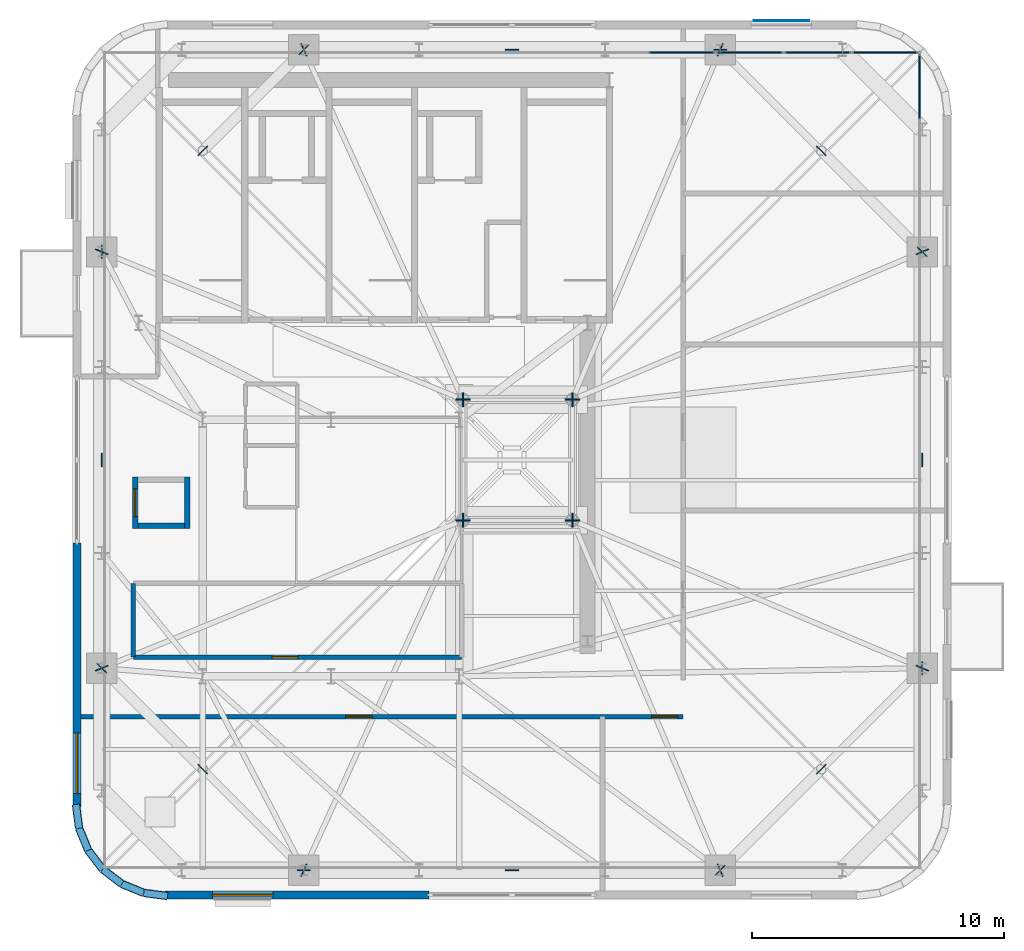
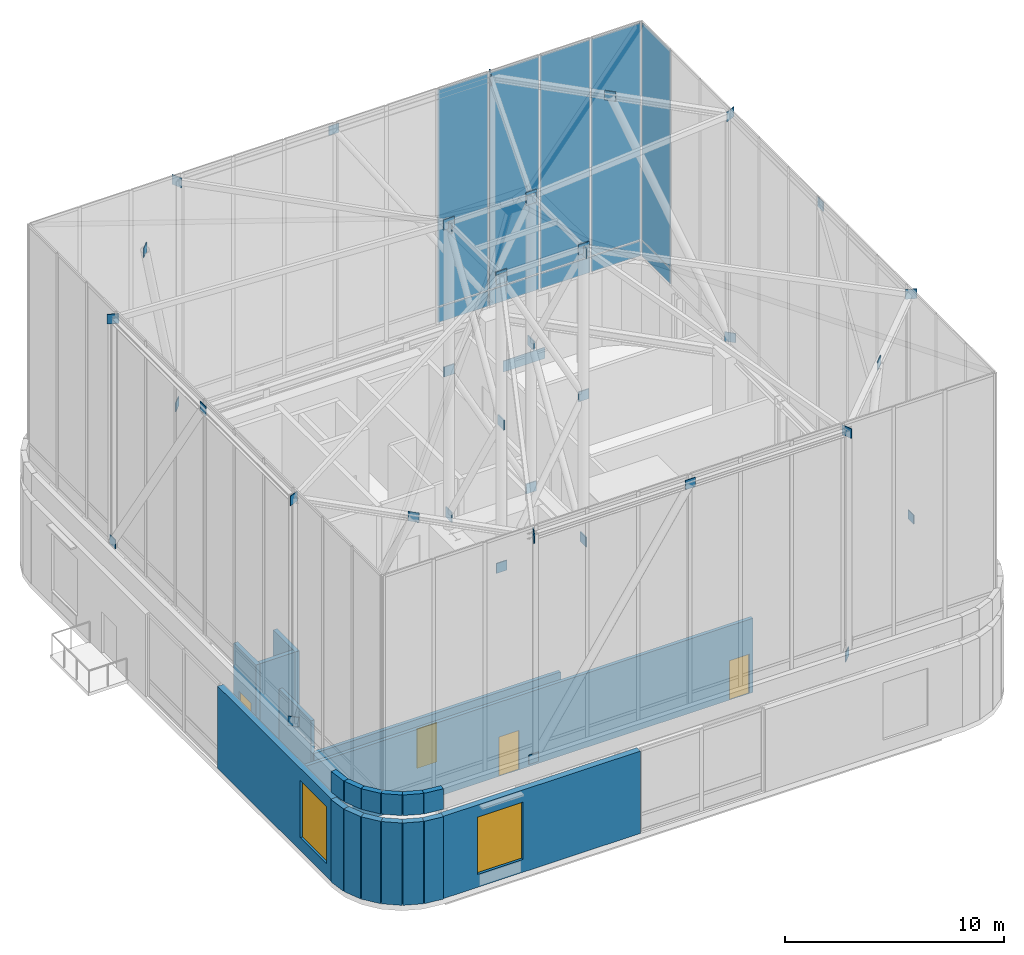
# One storey, part 11 of 15: 51 plates, 20 walls, 4 doors, 2 windows, 6 openings, 2 elements without a shape of their own.
"""IFC4 building model written with IfcOpenShell, lengths in metres."""

from ifc_helpers import new_model, si_unit, direction, frame, frame_2d, origin, origin_2d, place, context, subcontext, project, spatial, rectangle, extrude, source, transform, mapped, material, layer, layer_set, type_object, element, fill, aggregate, save


model = new_model("IFC4")

# Units and contexts
model_context = context("Model", 3, precision=1e-05, world=origin(), true_north=direction((0.0, 1.0)))
body_context = subcontext(model_context, "Body", "Model", "MODEL_VIEW")
ifc_project = project(units=[si_unit("LENGTHUNIT", "METRE"), si_unit("AREAUNIT", "SQUARE_METRE"), si_unit("VOLUMEUNIT", "CUBIC_METRE"), si_unit("PLANEANGLEUNIT", "RADIAN"), si_unit("MASSUNIT", "GRAM", prefix="KILO")], contexts=[model_context])

# Site, building, storey
site_placement = place(None, origin())
site = spatial("IfcSite", under=ifc_project, at=site_placement, CompositionType="ELEMENT")
building_placement = place(site_placement, origin())
building = spatial("IfcBuilding", under=site, at=building_placement, Name="Vardaveli Station Tower", CompositionType="ELEMENT")
storey_placement = place(building_placement, frame((0.0, 0.0, 301.14990234375)))
storey = spatial("IfcBuildingStorey", under=building, at=storey_placement, Name="L76", CompositionType="ELEMENT", Elevation=301.14990234375)

# Plates
ifc_material_1 = material(Name="Structural steel S460M", Category="steel")
ifc_layer_1 = layer(ifc_material_1, 0.0400390625, Name="Structural steel S460M")
ifc_layer_set_1 = layer_set([ifc_layer_1], Name="Structural steel S460M")
plate_type_1 = type_object("IfcPlateType", Name="PLT-CAP-40", PredefinedType="USERDEFINED", material=ifc_layer_set_1)
shared_shape_1 = source(origin(), body_context, "Body", "SweptSolid", [
    extrude(rectangle(XDim=0.580078125, YDim=0.0400390625, at=origin_2d()), origin(), (0.0, 0.0, 1.0), 0.580078125),
])
for number, where, z_axis, x_axis, name in (
    (1, (41.550048828125, 22.800048828125, 21.280029296875), (0.0, 0.0, 1.0), (1.0, 0.0, 0.0), "PLT-CRRAF-A1"),
    (2, (45.89990234375, 22.800048828125, 21.280029296875), (0.0, 0.0, 1.0), (1.0, 0.0, 0.0), "PLT-CRRAF-A2"),
    (3, (45.89990234375, 27.60009765625, 21.280029296875), (0.0, 0.0, 1.0), (1.0, 0.0, 0.0), "PLT-CRRAF-A3"),
    (4, (41.550048828125, 27.60009765625, 21.280029296875), (0.0, 0.0, 1.0), (1.0, 0.0, 0.0), "PLT-CRRAF-A4"),
):
    element("IfcPlate", number, at=place(storey_placement, frame(where, z_axis=z_axis, x_axis=x_axis)), inside=storey, type_object=plate_type_1, Name=name, ObjectType="GUSSET PLATE", PredefinedType="USERDEFINED", context=body_context, shape_type="MappedRepresentation", body=[
        mapped(shared_shape_1, transform((0.0, 0.0, 0.0), scale=1.0)),
    ])
shared_shape_2 = source(origin(), body_context, "Body", "SweptSolid", [
    extrude(rectangle(XDim=0.52001953125, YDim=0.0400390625, at=origin_2d()), origin(), (0.0, 0.0, 1.0), 0.52001953125),
])
for number, where, z_axis, x_axis, name in (
    (5, (35.22412109375, 8.889892578125, 4.989990234375), (0.0, 0.0, 1.0), (1.0, 0.0, 0.0), "PLT-CRSTR-B01"),
    (6, (43.5, 8.889892578125, 17.440185546875), (0.0, 0.0, 1.0), (1.0, 0.0, 0.0), "PLT-CRSTR-T01"),
    (7, (51.77587890625, 8.889892578125, 4.989990234375), (0.0, 0.0, 1.0), (0.707106781187, 0.707106781187, 0.0), "PLT-CRSTR-B02"),
    (8, (55.79296875, 12.906982421875, 17.440185546875), (0.0, 0.0, 1.0), (0.707106781187, 0.707106781187, 0.0), "PLT-CRSTR-T02"),
    (9, (59.81005859375, 16.92431640625, 4.989990234375), (0.0, 0.0, 1.0), (0.0, 1.0, 0.0), "PLT-CRSTR-B03"),
    (10, (59.81005859375, 25.199951171875, 17.440185546875), (0.0, 0.0, 1.0), (0.0, 1.0, 0.0), "PLT-CRSTR-T03"),
    (11, (59.81005859375, 33.475830078125, 4.989990234375), (0.0, 0.0, 1.0), (-0.707106781187, 0.707106781187, 0.0), "PLT-CRSTR-B04"),
    (12, (55.79296875, 37.492919921875, 17.440185546875), (0.0, 0.0, 1.0), (-0.707106781187, 0.707106781187, 0.0), "PLT-CRSTR-T04"),
    (13, (51.77587890625, 41.510009765625, 4.989990234375), (0.0, 0.0, 1.0), (-1.0, 0.0, 0.0), "PLT-CRSTR-B05"),
    (14, (43.5, 41.510009765625, 17.440185546875), (0.0, 0.0, 1.0), (-1.0, 0.0, 0.0), "PLT-CRSTR-T05"),
    (15, (35.22412109375, 41.510009765625, 4.989990234375), (0.0, 0.0, 1.0), (-0.707106781187, -0.707106781187, 0.0), "PLT-CRSTR-B06"),
    (16, (31.20703125, 37.492919921875, 17.440185546875), (0.0, 0.0, 1.0), (-0.707106781187, -0.707106781187, 0.0), "PLT-CRSTR-T06"),
    (17, (27.18994140625, 33.475830078125, 4.989990234375), (0.0, 0.0, 1.0), (0.0, -1.0, 0.0), "PLT-CRSTR-B07"),
    (18, (27.18994140625, 25.199951171875, 17.440185546875), (0.0, 0.0, 1.0), (0.0, -1.0, 0.0), "PLT-CRSTR-T07"),
    (19, (27.18994140625, 16.92431640625, 4.989990234375), (0.0, 0.0, 1.0), (0.707106781187, -0.707106781187, 0.0), "PLT-CRSTR-B08"),
    (20, (31.20703125, 12.906982421875, 17.440185546875), (0.0, 0.0, 1.0), (0.707106781187, -0.707106781187, 0.0), "PLT-CRSTR-T08"),
):
    element("IfcPlate", number, at=place(storey_placement, frame(where, z_axis=z_axis, x_axis=x_axis)), inside=storey, type_object=plate_type_1, Name=name, ObjectType="GUSSET PLATE", PredefinedType="USERDEFINED", context=body_context, shape_type="MappedRepresentation", body=[
        mapped(shared_shape_2, transform((0.0, 0.0, 0.0), scale=1.0)),
    ])
ifc_layer_2 = layer(ifc_material_1, 0.06005859375, Name="Structural steel S460M")
ifc_layer_set_2 = layer_set([ifc_layer_2], Name="Structural steel S460M")
plate_type_2 = type_object("IfcPlateType", Name="PLT-GUSSET-60", PredefinedType="USERDEFINED", material=ifc_layer_set_2)
shared_shape_3 = source(origin(), body_context, "Body", "SweptSolid", [
    extrude(rectangle(XDim=0.550048828125, YDim=0.06005859375, at=origin_2d()), origin(), (0.0, 0.0, 1.0), 0.550048828125),
])
for number, where, z_axis, x_axis, name in (
    (21, (41.550048828125, 22.800048828125, 5.02490234375), (0.0, 0.0, 1.0), (1.0, 0.0, 0.0), "PLT-CRBRC-B1"),
    (22, (45.89990234375, 22.800048828125, 13.0849609375), (0.0, 0.0, 1.0), (1.0, 0.0, 0.0), "PLT-CRBRC-M1"),
    (23, (41.550048828125, 22.800048828125, 21.14501953125), (0.0, 0.0, 1.0), (1.0, 0.0, 0.0), "PLT-CRBRC-T1"),
    (24, (45.89990234375, 22.800048828125, 5.02490234375), (0.0, 0.0, 1.0), (0.0, 1.0, 0.0), "PLT-CRBRC-B2"),
    (25, (45.89990234375, 27.60009765625, 13.0849609375), (0.0, 0.0, 1.0), (0.0, 1.0, 0.0), "PLT-CRBRC-M2"),
    (26, (45.89990234375, 22.800048828125, 21.14501953125), (0.0, 0.0, 1.0), (0.0, 1.0, 0.0), "PLT-CRBRC-T2"),
    (27, (45.89990234375, 27.60009765625, 5.02490234375), (0.0, 0.0, 1.0), (-1.0, 0.0, 0.0), "PLT-CRBRC-B3"),
    (28, (41.550048828125, 27.60009765625, 13.0849609375), (0.0, 0.0, 1.0), (-1.0, 0.0, 0.0), "PLT-CRBRC-M3"),
    (29, (45.89990234375, 27.60009765625, 21.14501953125), (0.0, 0.0, 1.0), (-1.0, 0.0, 0.0), "PLT-CRBRC-T3"),
    (30, (41.550048828125, 27.60009765625, 5.02490234375), (0.0, 0.0, 1.0), (0.0, -1.0, 0.0), "PLT-CRBRC-B4"),
    (31, (41.550048828125, 22.800048828125, 13.0849609375), (0.0, 0.0, 1.0), (0.0, -1.0, 0.0), "PLT-CRBRC-M4"),
    (32, (41.550048828125, 27.60009765625, 21.14501953125), (0.0, 0.0, 1.0), (0.0, -1.0, 0.0), "PLT-CRBRC-T4"),
):
    element("IfcPlate", number, at=place(storey_placement, frame(where, z_axis=z_axis, x_axis=x_axis)), inside=storey, type_object=plate_type_2, Name=name, ObjectType="GUSSET PLATE", PredefinedType="USERDEFINED", context=body_context, shape_type="MappedRepresentation", body=[
        mapped(shared_shape_3, transform((0.0, 0.0, 0.0), scale=1.0)),
    ])
shared_shape_4 = source(origin(), body_context, "Body", "SweptSolid", [
    extrude(rectangle(XDim=0.5400390625, YDim=0.0400390625, at=origin_2d()), origin(), (0.0, 0.0, 1.0), 0.5400390625),
])
for number, where, z_axis, x_axis, name in (
    (33, (35.22412109375, 8.889892578125, 17.43017578125), (0.0, 0.0, 1.0), (0.413898993841, 0.910322812467, 0.0), "PLT-CRRAF-E01"),
    (34, (51.77587890625, 8.889892578125, 17.43017578125), (0.0, 0.0, 1.0), (-0.38912395014, 0.921185405566, 0.0), "PLT-CRRAF-E02"),
    (35, (59.81005859375, 16.92431640625, 17.43017578125), (0.0, 0.0, 1.0), (-0.921185405566, 0.38912395014, 0.0), "PLT-CRRAF-E03"),
    (36, (59.81005859375, 33.475830078125, 17.43017578125), (0.0, 0.0, 1.0), (-0.921185405566, -0.38912395014, 0.0), "PLT-CRRAF-E04"),
    (37, (51.77587890625, 41.510009765625, 17.43017578125), (0.0, 0.0, 1.0), (-0.38912395014, -0.921185405566, 0.0), "PLT-CRRAF-E05"),
    (38, (35.22412109375, 41.510009765625, 17.43017578125), (0.0, 0.0, 1.0), (0.413898993841, -0.910322812467, 0.0), "PLT-CRRAF-E06"),
    (39, (27.18994140625, 33.475830078125, 17.43017578125), (0.0, 0.0, 1.0), (0.925540504018, -0.378648617352, 0.0), "PLT-CRRAF-E07"),
    (40, (27.18994140625, 16.92431640625, 17.43017578125), (0.0, 0.0, 1.0), (0.925540504018, 0.378648617352, 0.0), "PLT-CRRAF-E08"),
):
    element("IfcPlate", number, at=place(storey_placement, frame(where, z_axis=z_axis, x_axis=x_axis)), inside=storey, type_object=plate_type_1, Name=name, ObjectType="GUSSET PLATE", PredefinedType="USERDEFINED", context=body_context, shape_type="MappedRepresentation", body=[
        mapped(shared_shape_4, transform((0.0, 0.0, 0.0), scale=1.0)),
    ])
ifc_material_2 = material(Name="Honed Caucasian travertine stone", Category="masonry")
ifc_layer_3 = layer(ifc_material_2, 0.034912109375, Name="Honed Caucasian travertine stone")
ifc_layer_set_3 = layer_set([ifc_layer_3], Name="Honed Caucasian travertine stone")
plate_type_3 = type_object("IfcPlateType", Name="PLT-TRAV-35", PredefinedType="SHEET", material=ifc_layer_set_3)
shared_shape_5 = source(origin(), body_context, "Body", "SweptSolid", [
    extrude(rectangle(XDim=2.199951171875, YDim=0.034912109375, at=origin_2d()), origin(), (0.0, 0.0, 1.0), 0.6201171875),
])
plate_1_placement = place(storey_placement, frame((54.20947265625, 42.66943359375, 0.070068359375), z_axis=(0.0, 0.0, 1.0), x_axis=(1.0, 0.0, 0.0)))
element("IfcPlate", 41, at=plate_1_placement, inside=storey, type_object=plate_type_3, Name="PLT-TR-L76-N", PredefinedType="SHEET", context=body_context, shape_type="MappedRepresentation", body=[
    mapped(shared_shape_5, transform((0.0, 0.0, 0.0), scale=1.0)),
])

# Curtain wall, plate
ifc_material_3 = material(Name="Travertine stone and solar-control glass", Category="masonry")
curtain_wall_type = type_object("IfcCurtainWallType", Name="CW-SYS-6", PredefinedType="NOTDEFINED", material=ifc_material_3)
curtain_wall_1_placement = place(storey_placement, origin())
curtain_wall_1 = element("IfcCurtainWall", 42, at=curtain_wall_1_placement, inside=storey, type_object=curtain_wall_type, Name="CW-L76-CRN-E2", PredefinedType="NOTDEFINED")
ifc_material_4 = material(Name="Double-glazed low-E solar-control glass", Category="glass")
ifc_layer_4 = layer(ifc_material_4, 0.053955078125, Name="Double-glazed low-E solar-control glass")
ifc_layer_set_4 = layer_set([ifc_layer_4], Name="Double-glazed low-E solar-control glass")
plate_type_4 = type_object("IfcPlateType", Name="CW-SYS-6-PAN", PredefinedType="CURTAIN_PANEL", material=ifc_layer_set_4)
shared_shape_6 = source(origin(), body_context, "Body", "SweptSolid", [
    extrude(rectangle(XDim=2.58740234375, YDim=0.053955078125, at=origin_2d()), origin(), (0.0, 0.0, 1.0), 0.83740234375),
])
plate_2_placement = place(storey_placement, frame((59.699951171875, 40.03125, 5.0751953125), z_axis=(0.0, 0.0, 1.0), x_axis=(0.0, 1.0, 0.0)))
plate_2 = element("IfcPlate", 43, at=plate_2_placement, type_object=plate_type_4, Name="CW-6 panel 6.1", PredefinedType="CURTAIN_PANEL", context=body_context, shape_type="MappedRepresentation", body=[
    mapped(shared_shape_6, transform((0.0, 0.0, 0.0), scale=1.0)),
])

curtain_wall_2_placement = place(storey_placement, origin())
curtain_wall_2 = element("IfcCurtainWall", 44, at=curtain_wall_2_placement, inside=storey, type_object=curtain_wall_type, Name="CW-L76-CRN-N1", PredefinedType="NOTDEFINED")
plate_3_placement = place(storey_placement, frame((58.331298828125, 41.39990234375, 5.0751953125), z_axis=(0.0, 0.0, 1.0), x_axis=(-1.0, 0.0, 0.0)))
plate_3 = element("IfcPlate", 45, at=plate_3_placement, type_object=plate_type_4, Name="CW-6 panel 1.1", PredefinedType="CURTAIN_PANEL", context=body_context, shape_type="MappedRepresentation", body=[
    mapped(shared_shape_6, transform((0.0, 0.0, 0.0), scale=1.0)),
])

# Plate
shared_shape_7 = source(origin(), body_context, "Body", "SweptSolid", [
    extrude(rectangle(XDim=2.58740234375, YDim=0.053955078125, at=origin_2d()), origin(), (0.0, 0.0, 1.0), 12.08740234375),
])
plate_4_placement = place(storey_placement, frame((59.699951171875, 40.03125, 5.987548828125), z_axis=(0.0, 0.0, 1.0), x_axis=(0.0, 1.0, 0.0)))
plate_4 = element("IfcPlate", 46, at=plate_4_placement, type_object=plate_type_4, Name="CW-6 panel 6.2", PredefinedType="CURTAIN_PANEL", context=body_context, shape_type="MappedRepresentation", body=[
    mapped(shared_shape_7, transform((0.0, 0.0, 0.0), scale=1.0)),
])

aggregate(curtain_wall_1, [plate_2, plate_4])

plate_5_placement = place(storey_placement, frame((58.331298828125, 41.39990234375, 5.987548828125), z_axis=(0.0, 0.0, 1.0), x_axis=(-1.0, 0.0, 0.0)))
plate_5 = element("IfcPlate", 47, at=plate_5_placement, type_object=plate_type_4, Name="CW-6 panel 1.2", PredefinedType="CURTAIN_PANEL", context=body_context, shape_type="MappedRepresentation", body=[
    mapped(shared_shape_7, transform((0.0, 0.0, 0.0), scale=1.0)),
])

shared_shape_8 = source(origin(), body_context, "Body", "SweptSolid", [
    extrude(rectangle(XDim=2.625, YDim=0.053955078125, at=origin_2d()), origin(), (0.0, 0.0, 1.0), 0.83740234375),
])
plate_6_placement = place(storey_placement, frame((55.64990234375, 41.39990234375, 5.0751953125), z_axis=(0.0, 0.0, 1.0), x_axis=(-1.0, 0.0, 0.0)))
plate_6 = element("IfcPlate", 48, at=plate_6_placement, type_object=plate_type_4, Name="CW-6 panel 2.1", PredefinedType="CURTAIN_PANEL", context=body_context, shape_type="MappedRepresentation", body=[
    mapped(shared_shape_8, transform((0.0, 0.0, 0.0), scale=1.0)),
])

plate_7_placement = place(storey_placement, frame((52.949951171875, 41.39990234375, 5.0751953125), z_axis=(0.0, 0.0, 1.0), x_axis=(-1.0, 0.0, 0.0)))
plate_7 = element("IfcPlate", 49, at=plate_7_placement, type_object=plate_type_4, Name="CW-6 panel 3.1", PredefinedType="CURTAIN_PANEL", context=body_context, shape_type="MappedRepresentation", body=[
    mapped(shared_shape_8, transform((0.0, 0.0, 0.0), scale=1.0)),
])

plate_8_placement = place(storey_placement, frame((50.25, 41.39990234375, 5.0751953125), z_axis=(0.0, 0.0, 1.0), x_axis=(-1.0, 0.0, 0.0)))
plate_8 = element("IfcPlate", 50, at=plate_8_placement, type_object=plate_type_4, Name="CW-6 panel 4.1", PredefinedType="CURTAIN_PANEL", context=body_context, shape_type="MappedRepresentation", body=[
    mapped(shared_shape_8, transform((0.0, 0.0, 0.0), scale=1.0)),
])

shared_shape_9 = source(origin(), body_context, "Body", "SweptSolid", [
    extrude(rectangle(XDim=2.625, YDim=0.053955078125, at=origin_2d()), origin(), (0.0, 0.0, 1.0), 12.08740234375),
])
plate_9_placement = place(storey_placement, frame((55.64990234375, 41.39990234375, 5.987548828125), z_axis=(0.0, 0.0, 1.0), x_axis=(-1.0, 0.0, 0.0)))
plate_9 = element("IfcPlate", 51, at=plate_9_placement, type_object=plate_type_4, Name="CW-6 panel 2.2", PredefinedType="CURTAIN_PANEL", context=body_context, shape_type="MappedRepresentation", body=[
    mapped(shared_shape_9, transform((0.0, 0.0, 0.0), scale=1.0)),
])

plate_10_placement = place(storey_placement, frame((52.949951171875, 41.39990234375, 5.987548828125), z_axis=(0.0, 0.0, 1.0), x_axis=(-1.0, 0.0, 0.0)))
plate_10 = element("IfcPlate", 52, at=plate_10_placement, type_object=plate_type_4, Name="CW-6 panel 3.2", PredefinedType="CURTAIN_PANEL", context=body_context, shape_type="MappedRepresentation", body=[
    mapped(shared_shape_9, transform((0.0, 0.0, 0.0), scale=1.0)),
])

plate_11_placement = place(storey_placement, frame((50.25, 41.39990234375, 5.987548828125), z_axis=(0.0, 0.0, 1.0), x_axis=(-1.0, 0.0, 0.0)))
plate_11 = element("IfcPlate", 53, at=plate_11_placement, type_object=plate_type_4, Name="CW-6 panel 4.2", PredefinedType="CURTAIN_PANEL", context=body_context, shape_type="MappedRepresentation", body=[
    mapped(shared_shape_9, transform((0.0, 0.0, 0.0), scale=1.0)),
])

aggregate(curtain_wall_2, [plate_3, plate_5, plate_6, plate_9, plate_7, plate_10, plate_8, plate_11])

# Wall, opening, window
ifc_material_5 = material(Name="Precast concrete C45/55", Category="concrete")
ifc_layer_5 = layer(ifc_material_5, 0.320068359375, Name="Precast concrete C45/55")
ifc_layer_set_5 = layer_set([ifc_layer_5], Name="Precast concrete C45/55")
wall_type_1 = type_object("IfcWallType", Name="WAL-EXT-STONE-320", PredefinedType="SOLIDWALL", material=ifc_layer_set_5)
shared_shape_10 = source(origin(), body_context, "Body", "SweptSolid", [
    extrude(rectangle(XDim=10.492919921875, YDim=0.320068359375, at=frame_2d((5.24658203125, 0.0))), origin(), (0.0, 0.0, 1.0), 4.60009765625),
])
wall_1_placement = place(storey_placement, frame((29.70703125, 7.89990234375, 0.0), z_axis=(0.0, 0.0, 1.0), x_axis=(1.0, 0.0, 0.0)))
wall_1 = element("IfcWall", 54, at=wall_1_placement, inside=storey, type_object=wall_type_1, Name="EW-L76-S1", PredefinedType="SOLIDWALL", context=body_context, shape_type="MappedRepresentation", body=[
    mapped(shared_shape_10, transform((0.0, 0.0, 0.0), scale=1.0)),
])
shared_shape_11 = source(origin(), body_context, "Body", "SweptSolid", [
    extrude(rectangle(XDim=2.39990234375, YDim=3.199951171875, at=frame_2d((1.199951171875, 1.60009765625))), frame((0.0, 0.169921875, 0.0), z_axis=(0.0, -1.0, 0.0), x_axis=(1.0, 0.0, 0.0)), (0.0, 0.0, 1.0), 0.340087890625),
])
opening_1_placement = place(wall_1_placement, frame((1.883544921875, 0.0, 0.719970703125)))
opening_1 = element("IfcOpeningElement", 55, at=opening_1_placement, cuts=wall_1, Name="Opening W-06", PredefinedType="OPENING", context=body_context, shape_type="MappedRepresentation", body=[
    mapped(shared_shape_11, transform((0.0, 0.0, 0.0), scale=1.0)),
])
ifc_material_6 = material(Name="Low-iron tempered belvedere glass", Category="glass")
window_type = type_object("IfcWindowType", Name="WIN-OBS-2400x3200", PartitioningType="SINGLE_PANEL", PredefinedType="WINDOW", material=ifc_material_6)
shared_shape_12 = source(origin(), body_context, "Body", "SweptSolid", [
    extrude(rectangle(XDim=2.39990234375, YDim=3.199951171875, at=frame_2d((1.199951171875, 1.60009765625))), frame((0.0, 0.030029296875, 0.0), z_axis=(0.0, -1.0, 0.0), x_axis=(1.0, 0.0, 0.0)), (0.0, 0.0, 1.0), 0.06005859375),
])
window_1_placement = place(opening_1_placement, origin())
window_1 = element("IfcWindow", 56, at=window_1_placement, inside=storey, type_object=window_type, Name="WN-L76-S1", OverallHeight=3.199951171875, OverallWidth=2.39990234375, PartitioningType="SINGLE_PANEL", PredefinedType="WINDOW", context=body_context, shape_type="MappedRepresentation", body=[
    mapped(shared_shape_12, transform((0.0, 0.0, 0.0), scale=1.0)),
])
fill(opening_1, window_1)

wall_2_placement = place(storey_placement, frame((26.199951171875, 21.89990234375, 0.0), z_axis=(0.0, 0.0, 1.0), x_axis=(0.0, -1.0, 0.0)))
wall_2 = element("IfcWall", 57, at=wall_2_placement, inside=storey, type_object=wall_type_1, Name="EW-L76-W2", PredefinedType="SOLIDWALL", context=body_context, shape_type="MappedRepresentation", body=[
    mapped(shared_shape_10, transform((0.0, 0.0, 0.0), scale=1.0)),
])
opening_2_placement = place(wall_2_placement, frame((7.559326171875, 0.0, 0.719970703125)))
opening_2 = element("IfcOpeningElement", 58, at=opening_2_placement, cuts=wall_2, Name="Opening W-06", PredefinedType="OPENING", context=body_context, shape_type="MappedRepresentation", body=[
    mapped(shared_shape_11, transform((0.0, 0.0, 0.0), scale=1.0)),
])
window_2_placement = place(opening_2_placement, origin())
window_2 = element("IfcWindow", 59, at=window_2_placement, inside=storey, type_object=window_type, Name="WN-L76-W2", OverallHeight=3.199951171875, OverallWidth=2.39990234375, PartitioningType="SINGLE_PANEL", PredefinedType="WINDOW", context=body_context, shape_type="MappedRepresentation", body=[
    mapped(shared_shape_12, transform((0.0, 0.0, 0.0), scale=1.0)),
])
fill(opening_2, window_2)

# Walls
shared_shape_13 = source(origin(), body_context, "Body", "SweptSolid", [
    extrude(rectangle(XDim=0.952392578125, YDim=0.320068359375, at=frame_2d((0.47607421875, 0.0))), origin(), (0.0, 0.0, 1.0), 4.60009765625),
])
for number, where, z_axis, x_axis, name in (
    (60, (26.16552734375, 11.506103515625, 0.0), (0.0, 0.0, 1.0), (0.127410057845, -0.991850128376, 0.0), "EW-L76-CR1-1"),
    (61, (28.861572265625, 7.98681640625, 0.0), (0.0, 0.0, 1.0), (0.991850128376, -0.127410057845, 0.0), "EW-L76-CR1-6"),
):
    element("IfcWall", number, at=place(storey_placement, frame(where, z_axis=z_axis, x_axis=x_axis)), inside=storey, type_object=wall_type_1, Name=name, PredefinedType="SOLIDWALL", context=body_context, shape_type="MappedRepresentation", body=[
        mapped(shared_shape_13, transform((0.0, 0.0, 0.0), scale=1.0)),
    ])
shared_shape_14 = source(origin(), body_context, "Body", "SweptSolid", [
    extrude(rectangle(XDim=0.951171875, YDim=0.320068359375, at=frame_2d((0.4755859375, 0.0))), origin(), (0.0, 0.0, 1.0), 4.60009765625),
])
for number, where, z_axis, x_axis, name in (
    (62, (26.286865234375, 10.5615234375, 0.0), (0.0, 0.0, 1.0), (0.380620714252, -0.924731243055, 0.0), "EW-L76-CR1-2"),
    (63, (27.98193359375, 8.348876953125, 0.0), (0.0, 0.0, 1.0), (0.924731243055, -0.380620714252, 0.0), "EW-L76-CR1-5"),
):
    element("IfcWall", number, at=place(storey_placement, frame(where, z_axis=z_axis, x_axis=x_axis)), inside=storey, type_object=wall_type_1, Name=name, PredefinedType="SOLIDWALL", context=body_context, shape_type="MappedRepresentation", body=[
        mapped(shared_shape_14, transform((0.0, 0.0, 0.0), scale=1.0)),
    ])
shared_shape_15 = source(origin(), body_context, "Body", "SweptSolid", [
    extrude(rectangle(XDim=0.95068359375, YDim=0.320068359375, at=frame_2d((0.475341796875, 0.0))), origin(), (0.0, 0.0, 1.0), 4.60009765625),
])
for number, where, z_axis, x_axis, name in (
    (64, (26.64892578125, 9.681884765625, 0.0), (0.0, 0.0, 1.0), (0.608307549558, -0.793701408056, 0.0), "EW-L76-CR1-3"),
    (65, (27.227294921875, 8.92724609375, 0.0), (0.0, 0.0, 1.0), (0.793701408056, -0.608307549558, 0.0), "EW-L76-CR1-4"),
):
    element("IfcWall", number, at=place(storey_placement, frame(where, z_axis=z_axis, x_axis=x_axis)), inside=storey, type_object=wall_type_1, Name=name, PredefinedType="SOLIDWALL", context=body_context, shape_type="MappedRepresentation", body=[
        mapped(shared_shape_15, transform((0.0, 0.0, 0.0), scale=1.0)),
    ])
ifc_layer_6 = layer(ifc_material_5, 0.280029296875, Name="Precast concrete C45/55")
ifc_layer_set_6 = layer_set([ifc_layer_6], Name="Precast concrete C45/55")
wall_type_2 = type_object("IfcWallType", Name="WAL-PARAPET-280", PredefinedType="SOLIDWALL", material=ifc_layer_set_6)
shared_shape_16 = source(origin(), body_context, "Body", "SweptSolid", [
    extrude(rectangle(XDim=0.952392578125, YDim=0.280029296875, at=frame_2d((0.47607421875, 0.0))), origin(), (0.0, 0.0, 1.0), 1.150146484375),
])
for number, where, z_axis, x_axis, name in (
    (66, (26.16552734375, 11.506103515625, 5.0), (0.0, 0.0, 1.0), (0.127410057845, -0.991850128376, 0.0), "PW-L76-COL-01"),
    (67, (28.861572265625, 7.98681640625, 5.0), (0.0, 0.0, 1.0), (0.991850128376, -0.127410057845, 0.0), "PW-L76-COL-06"),
):
    element("IfcWall", number, at=place(storey_placement, frame(where, z_axis=z_axis, x_axis=x_axis)), inside=storey, type_object=wall_type_2, Name=name, PredefinedType="SOLIDWALL", context=body_context, shape_type="MappedRepresentation", body=[
        mapped(shared_shape_16, transform((0.0, 0.0, 0.0), scale=1.0)),
    ])
shared_shape_17 = source(origin(), body_context, "Body", "SweptSolid", [
    extrude(rectangle(XDim=0.951171875, YDim=0.280029296875, at=frame_2d((0.4755859375, 0.0))), origin(), (0.0, 0.0, 1.0), 1.150146484375),
])
for number, where, z_axis, x_axis, name in (
    (68, (26.286865234375, 10.5615234375, 5.0), (0.0, 0.0, 1.0), (0.380620714252, -0.924731243055, 0.0), "PW-L76-COL-02"),
    (69, (27.98193359375, 8.348876953125, 5.0), (0.0, 0.0, 1.0), (0.924731243055, -0.380620714252, 0.0), "PW-L76-COL-05"),
):
    element("IfcWall", number, at=place(storey_placement, frame(where, z_axis=z_axis, x_axis=x_axis)), inside=storey, type_object=wall_type_2, Name=name, PredefinedType="SOLIDWALL", context=body_context, shape_type="MappedRepresentation", body=[
        mapped(shared_shape_17, transform((0.0, 0.0, 0.0), scale=1.0)),
    ])
shared_shape_18 = source(origin(), body_context, "Body", "SweptSolid", [
    extrude(rectangle(XDim=0.95068359375, YDim=0.280029296875, at=frame_2d((0.475341796875, 0.0))), origin(), (0.0, 0.0, 1.0), 1.150146484375),
])
for number, where, z_axis, x_axis, name in (
    (70, (26.64892578125, 9.681884765625, 5.0), (0.0, 0.0, 1.0), (0.608307549558, -0.793701408056, 0.0), "PW-L76-COL-03"),
    (71, (27.227294921875, 8.92724609375, 5.0), (0.0, 0.0, 1.0), (0.793701408056, -0.608307549558, 0.0), "PW-L76-COL-04"),
):
    element("IfcWall", number, at=place(storey_placement, frame(where, z_axis=z_axis, x_axis=x_axis)), inside=storey, type_object=wall_type_2, Name=name, PredefinedType="SOLIDWALL", context=body_context, shape_type="MappedRepresentation", body=[
        mapped(shared_shape_18, transform((0.0, 0.0, 0.0), scale=1.0)),
    ])
ifc_material_7 = material(Name="Concrete C40/50", Category="concrete")
ifc_layer_7 = layer(ifc_material_7, 0.219970703125, Name="Concrete C40/50")
ifc_layer_set_7 = layer_set([ifc_layer_7], Name="Concrete C40/50")
wall_type_3 = type_object("IfcWallType", Name="WAL-FFLOBBY-220", PredefinedType="SOLIDWALL", material=ifc_layer_set_7)
shared_shape_19 = source(origin(), body_context, "Body", "SweptSolid", [
    extrude(rectangle(XDim=1.85009765625, YDim=0.219970703125, at=frame_2d((0.925048828125, 0.0))), origin(), (0.0, 0.0, 1.0), 4.60009765625),
])
wall_3_placement = place(storey_placement, frame((28.625, 22.590087890625, 0.0), z_axis=(0.0, 0.0, 1.0), x_axis=(1.0, 0.0, 0.0)))
element("IfcWall", 72, at=wall_3_placement, inside=storey, type_object=wall_type_3, Name="SHW-CRN-01-L76-S", PredefinedType="SOLIDWALL", context=body_context, shape_type="MappedRepresentation", body=[
    mapped(shared_shape_19, transform((0.0, 0.0, 0.0), scale=1.0)),
])

# Wall, opening, door
shared_shape_20 = source(origin(), body_context, "Body", "SweptSolid", [
    extrude(rectangle(XDim=2.0400390625, YDim=0.219970703125, at=frame_2d((1.02001953125, 0.0))), origin(), (0.0, 0.0, 1.0), 4.60009765625),
])
wall_4_placement = place(storey_placement, frame((28.514892578125, 22.47998046875, 0.0), z_axis=(0.0, 0.0, 1.0), x_axis=(0.0, 1.0, 0.0)))
wall_4 = element("IfcWall", 73, at=wall_4_placement, inside=storey, type_object=wall_type_3, Name="SHW-CRN-01-L76-W", PredefinedType="SOLIDWALL", context=body_context, shape_type="MappedRepresentation", body=[
    mapped(shared_shape_20, transform((0.0, 0.0, 0.0), scale=1.0)),
])
shared_shape_21 = source(origin(), body_context, "Body", "SweptSolid", [
    extrude(rectangle(XDim=1.10009765625, YDim=2.199951171875, at=frame_2d((0.550048828125, 1.10009765625))), frame((0.0, 0.1201171875, 0.0), z_axis=(0.0, -1.0, 0.0), x_axis=(1.0, 0.0, 0.0)), (0.0, 0.0, 1.0), 0.239990234375),
])
opening_3_placement = place(wall_4_placement, frame((0.469970703125, 0.0, 0.0)))
opening_3 = element("IfcOpeningElement", 74, at=opening_3_placement, cuts=wall_4, Name="Opening LD-01", PredefinedType="OPENING", context=body_context, shape_type="MappedRepresentation", body=[
    mapped(shared_shape_21, transform((0.0, 0.0, 0.0), scale=1.0)),
])
ifc_material_8 = material(Name="Brushed stainless steel", Category="steel")
door_type_1 = type_object("IfcDoorType", Name="DR-LD-1100x2200", OperationType="DOUBLE_DOOR_SLIDING", PredefinedType="DOOR", material=ifc_material_8)
shared_shape_22 = source(origin(), body_context, "Body", "SweptSolid", [
    extrude(rectangle(XDim=1.10009765625, YDim=2.199951171875, at=frame_2d((0.550048828125, 1.10009765625))), frame((0.0, 0.02490234375, 0.0), z_axis=(0.0, -1.0, 0.0), x_axis=(1.0, 0.0, 0.0)), (0.0, 0.0, 1.0), 0.050048828125),
])
door_1_placement = place(opening_3_placement, origin())
door_1 = element("IfcDoor", 75, at=door_1_placement, inside=storey, type_object=door_type_1, Name="LD-CRN-01-L76", OperationType="DOUBLE_DOOR_SLIDING", OverallHeight=2.199951171875, OverallWidth=1.10009765625, PredefinedType="DOOR", context=body_context, shape_type="MappedRepresentation", body=[
    mapped(shared_shape_22, transform((0.0, 0.0, 0.0), scale=1.0)),
])
fill(opening_3, door_1)

# Wall
wall_5_placement = place(storey_placement, frame((30.5849609375, 22.47998046875, 0.0), z_axis=(0.0, 0.0, 1.0), x_axis=(0.0, 1.0, 0.0)))
element("IfcWall", 76, at=wall_5_placement, inside=storey, type_object=wall_type_3, Name="SHW-CRN-01-L76-E", PredefinedType="SOLIDWALL", context=body_context, shape_type="MappedRepresentation", body=[
    mapped(shared_shape_20, transform((0.0, 0.0, 0.0), scale=1.0)),
])

# Wall, openings, doors
ifc_material_9 = material(Name="Fire-rated gypsum stud partition")
ifc_layer_8 = layer(ifc_material_9, 0.179931640625, Name="Fire-rated gypsum stud partition")
ifc_layer_set_8 = layer_set([ifc_layer_8], Name="Fire-rated gypsum stud partition")
wall_type_4 = type_object("IfcWallType", Name="WAL-CORR-180", PredefinedType="PARTITIONING", material=ifc_layer_set_8)
shared_shape_23 = source(origin(), body_context, "Body", "SweptSolid", [
    extrude(rectangle(XDim=23.93798828125, YDim=0.179931640625, at=frame_2d((11.968994140625, 0.0))), origin(), (0.0, 0.0, 1.0), 4.14208984375),
])
wall_6_placement = place(storey_placement, frame((26.362060546875, 15.0, 0.0), z_axis=(0.0, 0.0, 1.0), x_axis=(1.0, 0.0, 0.0)))
wall_6 = element("IfcWall", 77, at=wall_6_placement, inside=storey, type_object=wall_type_4, Name="W-L76-CS", PredefinedType="PARTITIONING", context=body_context, shape_type="MappedRepresentation", body=[
    mapped(shared_shape_23, transform((0.0, 0.0, 0.0), scale=1.0)),
])
shared_shape_24 = source(origin(), body_context, "Body", "SweptSolid", [
    extrude(rectangle(XDim=1.050048828125, YDim=2.199951171875, at=frame_2d((0.52490234375, 1.10009765625))), frame((0.0, 0.10009765625, 0.0), z_axis=(0.0, -1.0, 0.0), x_axis=(1.0, 0.0, 0.0)), (0.0, 0.0, 1.0), 0.199951171875),
])
opening_4_placement = place(wall_6_placement, frame((10.52294921875, 0.0, 0.0)))
opening_4 = element("IfcOpeningElement", 78, at=opening_4_placement, cuts=wall_6, Name="Opening D-05", PredefinedType="OPENING", context=body_context, shape_type="MappedRepresentation", body=[
    mapped(shared_shape_24, transform((0.0, 0.0, 0.0), scale=1.0)),
])
opening_5_placement = place(wall_6_placement, frame((22.68798828125, 0.0, 0.0)))
opening_5 = element("IfcOpeningElement", 79, at=opening_5_placement, cuts=wall_6, Name="Opening D-05", PredefinedType="OPENING", context=body_context, shape_type="MappedRepresentation", body=[
    mapped(shared_shape_24, transform((0.0, 0.0, 0.0), scale=1.0)),
])
ifc_material_10 = material(Name="Walnut veneer acoustic fire door")
door_type_2 = type_object("IfcDoorType", Name="DR-SUITE-1050x2200", OperationType="NOTDEFINED", PredefinedType="DOOR", material=ifc_material_10)
shared_shape_25 = source(origin(), body_context, "Body", "SweptSolid", [
    extrude(rectangle(XDim=1.050048828125, YDim=2.199951171875, at=frame_2d((0.52490234375, 1.10009765625))), frame((0.0, 0.02490234375, 0.0), z_axis=(0.0, -1.0, 0.0), x_axis=(1.0, 0.0, 0.0)), (0.0, 0.0, 1.0), 0.050048828125),
])
door_2_placement = place(opening_4_placement, origin())
door_2 = element("IfcDoor", 80, at=door_2_placement, inside=storey, type_object=door_type_2, Name="D-L76-OB1", OperationType="SINGLE_SWING_RIGHT", OverallHeight=2.199951171875, OverallWidth=1.050048828125, PredefinedType="DOOR", context=body_context, shape_type="MappedRepresentation", body=[
    mapped(shared_shape_25, transform((0.0, 0.0, 0.0), scale=1.0)),
])
fill(opening_4, door_2)
door_3_placement = place(opening_5_placement, origin())
door_3 = element("IfcDoor", 81, at=door_3_placement, inside=storey, type_object=door_type_2, Name="D-L76-OB2", OperationType="SINGLE_SWING_LEFT", OverallHeight=2.199951171875, OverallWidth=1.050048828125, PredefinedType="DOOR", context=body_context, shape_type="MappedRepresentation", body=[
    mapped(shared_shape_25, transform((0.0, 0.0, 0.0), scale=1.0)),
])
fill(opening_5, door_3)

# Wall, opening, door
shared_shape_26 = source(origin(), body_context, "Body", "SweptSolid", [
    extrude(rectangle(XDim=13.050048828125, YDim=0.179931640625, at=frame_2d((6.52490234375, 0.0))), origin(), (0.0, 0.0, 1.0), 2.7919921875),
])
wall_7_placement = place(storey_placement, frame((28.449951171875, 17.360107421875, 0.0), z_axis=(0.0, 0.0, 1.0), x_axis=(1.0, 0.0, 0.0)))
wall_7 = element("IfcWall", 82, at=wall_7_placement, inside=storey, type_object=wall_type_4, Name="W-L76-OBSA-S", PredefinedType="PARTITIONING", context=body_context, shape_type="MappedRepresentation", body=[
    mapped(shared_shape_26, transform((0.0, 0.0, 0.0), scale=1.0)),
])
opening_6_placement = place(wall_7_placement, frame((5.5, 0.0, 0.0)))
opening_6 = element("IfcOpeningElement", 83, at=opening_6_placement, cuts=wall_7, Name="Opening D-05", PredefinedType="OPENING", context=body_context, shape_type="MappedRepresentation", body=[
    mapped(shared_shape_24, transform((0.0, 0.0, 0.0), scale=1.0)),
])
door_4_placement = place(opening_6_placement, origin())
door_4 = element("IfcDoor", 84, at=door_4_placement, inside=storey, type_object=door_type_2, Name="D-L76-OBSA", OperationType="SINGLE_SWING_LEFT", OverallHeight=2.199951171875, OverallWidth=1.050048828125, PredefinedType="DOOR", context=body_context, shape_type="MappedRepresentation", body=[
    mapped(shared_shape_25, transform((0.0, 0.0, 0.0), scale=1.0)),
])
fill(opening_6, door_4)

# Wall
shared_shape_27 = source(origin(), body_context, "Body", "SweptSolid", [
    extrude(rectangle(XDim=2.93994140625, YDim=0.179931640625, at=frame_2d((1.469970703125, 0.0))), origin(), (0.0, 0.0, 1.0), 4.60009765625),
])
wall_8_placement = place(storey_placement, frame((28.449951171875, 17.360107421875, 0.0), z_axis=(0.0, 0.0, 1.0), x_axis=(0.0, 1.0, 0.0)))
element("IfcWall", 85, at=wall_8_placement, inside=storey, type_object=wall_type_4, Name="W-L76-OBSA-W", PredefinedType="PARTITIONING", context=body_context, shape_type="MappedRepresentation", body=[
    mapped(shared_shape_27, transform((0.0, 0.0, 0.0), scale=1.0)),
])

save(model, "model.ifc")
